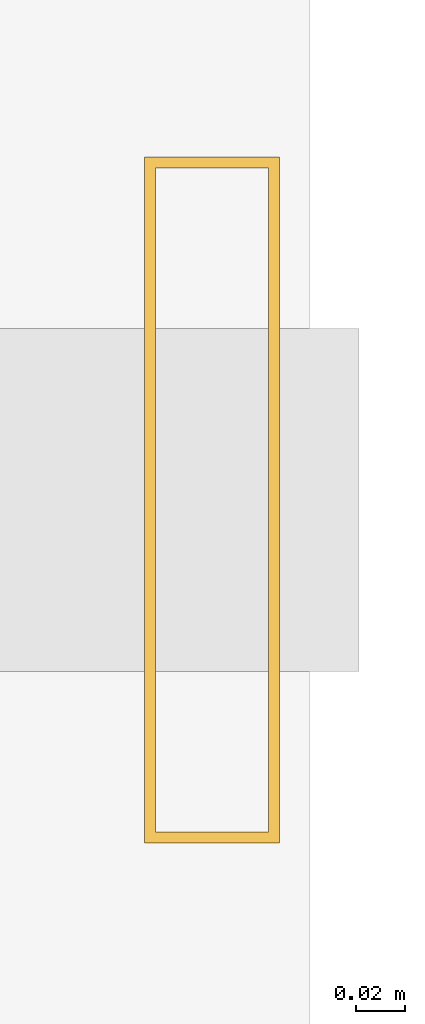
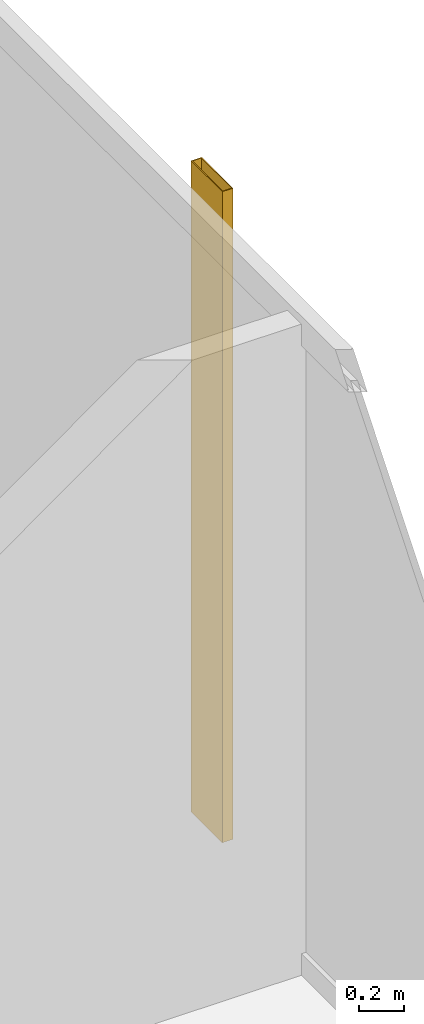
# One storey, part 24 of 24: 1 shading device.
"""IFC4 building model written with IfcOpenShell, lengths in metres."""

from ifc_helpers import new_model, si_unit, direction, frame, origin, origin_2d, place, context, subcontext, project, spatial, hollow_rectangle, extrude, material, material_profile, profile_set, type_object, element, save


model = new_model("IFC4")

# Units and contexts
model_context = context("Model", 3, precision=1e-05, world=origin(), true_north=direction((0.0, 1.0)))
body_context = subcontext(model_context, "Body", "Model", "MODEL_VIEW")
ifc_project = project(units=[si_unit("LENGTHUNIT", "METRE"), si_unit("AREAUNIT", "SQUARE_METRE"), si_unit("VOLUMEUNIT", "CUBIC_METRE"), si_unit("PLANEANGLEUNIT", "RADIAN"), si_unit("MASSUNIT", "GRAM", prefix="KILO")], contexts=[model_context])

# Site, building, storey
site_placement = place(None, origin())
site = spatial("IfcSite", under=ifc_project, at=site_placement, CompositionType="ELEMENT")
building_placement = place(site_placement, origin())
building = spatial("IfcBuilding", under=site, at=building_placement, Name="Kolvaren Waterfront Exchange", CompositionType="ELEMENT")
storey_placement = place(building_placement, frame((0.0, 0.0, 208.300048828125)))
storey = spatial("IfcBuildingStorey", under=building, at=storey_placement, Name="L53", CompositionType="ELEMENT", Elevation=208.300048828125)

# Shading device
ifc_material = material(Name="Anodised bronze aluminium 6063-T6", Category="aluminium")
ifc_material_profile = material_profile(ifc_material, hollow_rectangle(XDim=0.054931640625, YDim=0.280029296875, WallThickness=0.00439453125, at=origin_2d()), Name="BRZ-FIN-280x55x4.5")
ifc_profile_set = profile_set([ifc_material_profile], Name="Anodised bronze aluminium 6063-T6")
shading_device_type = type_object("IfcShadingDeviceType", Name="ARC-FIN-280", PredefinedType="USERDEFINED", material=ifc_profile_set)
shading_device_placement = place(storey_placement, frame((21.360107421875, 38.0, 0.0), z_axis=(0.0, 0.0, 1.0), x_axis=(1.0, 0.0, 0.0)))
element("IfcShadingDevice", 1, at=shading_device_placement, inside=storey, type_object=shading_device_type, Name="L53 anodised bronze solar shading fin FIN-L53-E3", ObjectType="SOLAR FIN", PredefinedType="USERDEFINED", context=body_context, shape_type="SweptSolid", body=[
    extrude(hollow_rectangle(XDim=0.054931640625, YDim=0.280029296875, WallThickness=0.00439453125, at=origin_2d()), origin(), (0.0, 0.0, 1.0), 3.56005859375),
])

save(model, "model.ifc")
